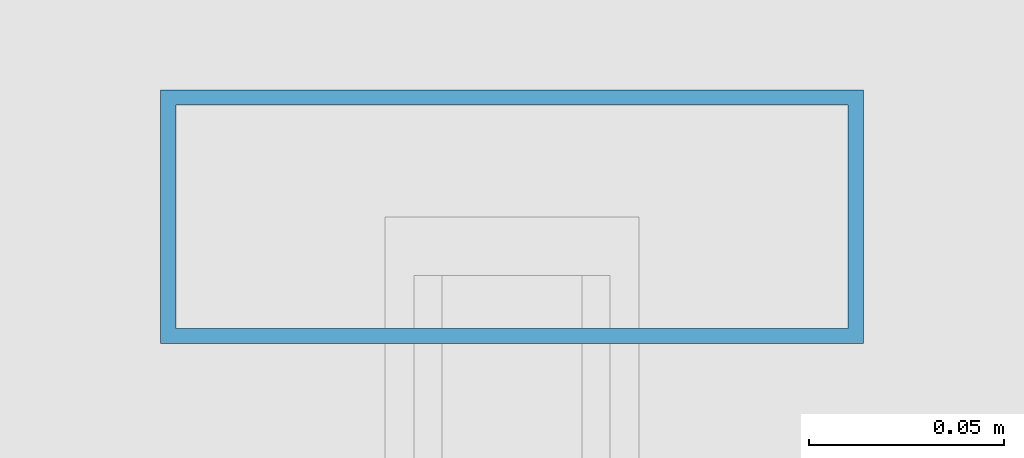
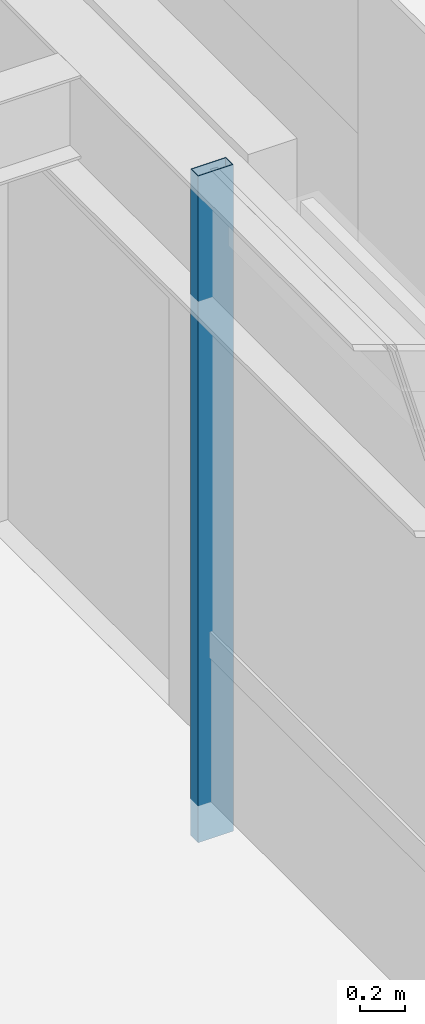
# One storey, part 13 of 31: 1 member, 1 element without a shape of its own.
"""IFC4 building model written with IfcOpenShell, lengths in metres."""

from ifc_helpers import new_model, si_unit, direction, frame, origin, origin_2d, place, context, subcontext, project, spatial, hollow_rectangle, extrude, material, layer, layer_set, material_profile, profile_set, type_object, element, aggregate, save


model = new_model("IFC4")

# Units and contexts
model_context = context("Model", 3, precision=1e-05, world=origin(), true_north=direction((0.0, 1.0)))
body_context = subcontext(model_context, "Body", "Model", "MODEL_VIEW")
ifc_project = project(units=[si_unit("LENGTHUNIT", "METRE"), si_unit("AREAUNIT", "SQUARE_METRE"), si_unit("VOLUMEUNIT", "CUBIC_METRE"), si_unit("PLANEANGLEUNIT", "RADIAN"), si_unit("MASSUNIT", "GRAM", prefix="KILO")], contexts=[model_context])

# Site, building, storey
site_placement = place(None, origin())
site = spatial("IfcSite", under=ifc_project, at=site_placement, CompositionType="ELEMENT")
building_placement = place(site_placement, origin())
building = spatial("IfcBuilding", under=site, at=building_placement, Name="Brelmoor Portico Tower", CompositionType="ELEMENT")
storey_placement = place(building_placement, frame((0.0, 0.0, 42.0)))
storey = spatial("IfcBuildingStorey", under=building, at=storey_placement, Name="L10", CompositionType="ELEMENT", Elevation=42.0)

# Curtain wall, member
ifc_material = material(Name="Anodised Aluminium Alloy 6063-T6", Category="aluminium")
ifc_layer = layer(ifc_material, 0.179931640625)
ifc_layer_set = layer_set([ifc_layer], Name="Anodised Aluminium Alloy 6063-T6")
curtain_wall_type = type_object("IfcCurtainWallType", Name="CW-TOWER-Z1", PredefinedType="NOTDEFINED", material=ifc_layer_set)
curtain_wall_placement = place(storey_placement, origin())
curtain_wall = element("IfcCurtainWall", 1, at=curtain_wall_placement, inside=storey, type_object=curtain_wall_type, Name="L10 Curtain Wall CW-L10-4L-2", PredefinedType="NOTDEFINED")
ifc_material_profile = material_profile(ifc_material, hollow_rectangle(XDim=0.06494140625, YDim=0.179931640625, WallThickness=0.00390625, at=origin_2d()), Name="ALU MULLION 65x180")
ifc_profile_set = profile_set([ifc_material_profile], Name="Anodised Aluminium Alloy 6063-T6")
member_type = type_object("IfcMemberType", Name="MB-CW-MULL-180", PredefinedType="MULLION", material=ifc_profile_set)
member_placement = place(storey_placement, frame((24.550048828125, 5.5, -0.199951171875), z_axis=(0.0, 0.0, 1.0), x_axis=(0.0, 1.0, 0.0)))
member = element("IfcMember", 2, at=member_placement, type_object=member_type, Name="CW-L10-4L-2 Mullion 01", PredefinedType="MULLION", context=body_context, shape_type="SweptSolid", body=[
    extrude(hollow_rectangle(XDim=0.06494140625, YDim=0.179931640625, WallThickness=0.00390625, at=origin_2d()), origin(), (0.0, 0.0, 1.0), 3.599853515625),
])
aggregate(curtain_wall, [member])

save(model, "model.ifc")
